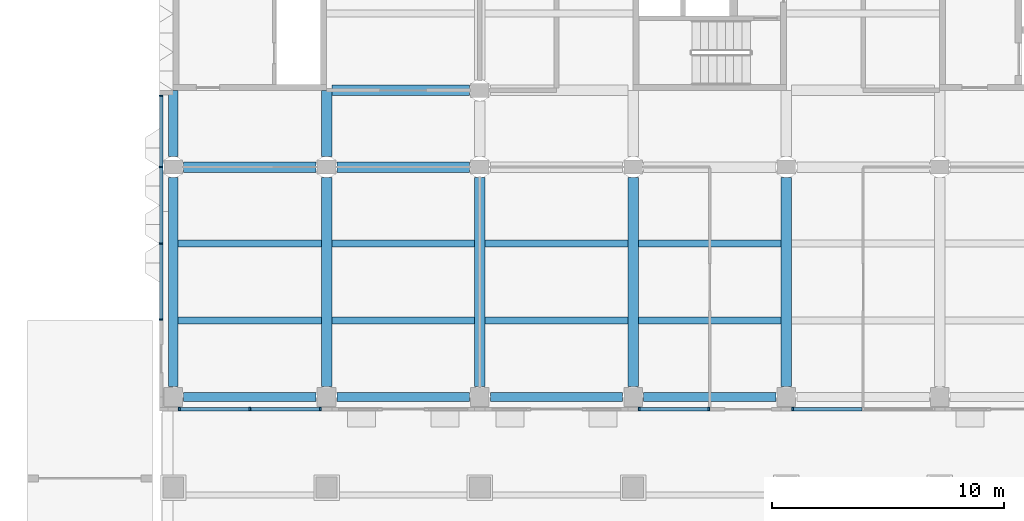
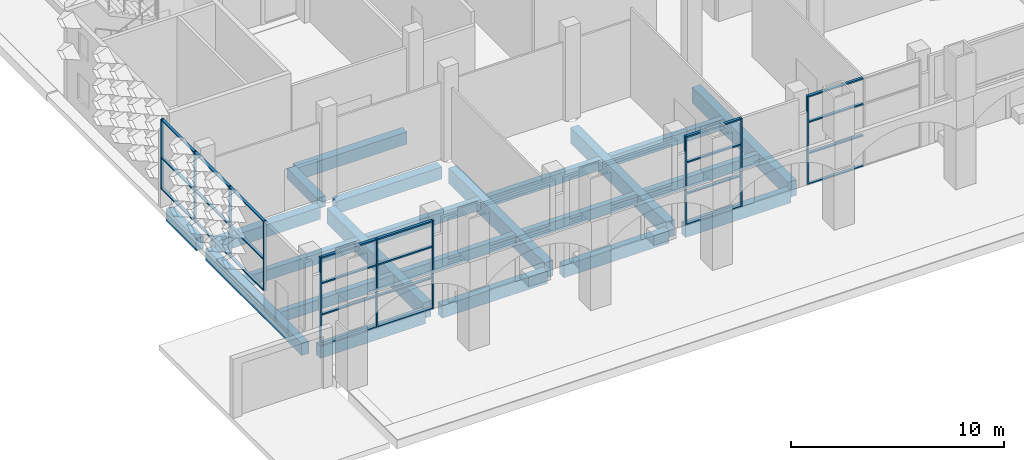
# One storey, part 2 of 85: 35 members, 22 beams, 4 elements without a shape of their own.
"""IFC4 building model written with IfcOpenShell, lengths in metres."""

from ifc_helpers import new_model, si_unit, direction, frame, origin, origin_2d, place, context, subcontext, project, spatial, rectangle, extrude, material, material_profile, profile_set, type_object, element, aggregate, save


model = new_model("IFC4")

# Units and contexts
model_context = context("Model", 3, precision=1e-05, world=origin(), true_north=direction((0.0, 1.0)))
body_context = subcontext(model_context, "Body", "Model", "MODEL_VIEW")
ifc_project = project(units=[si_unit("LENGTHUNIT", "METRE"), si_unit("AREAUNIT", "SQUARE_METRE"), si_unit("VOLUMEUNIT", "CUBIC_METRE"), si_unit("PLANEANGLEUNIT", "RADIAN"), si_unit("MASSUNIT", "GRAM", prefix="KILO")], contexts=[model_context])

# Site, building, storey
site_placement = place(None, origin())
site = spatial("IfcSite", under=ifc_project, at=site_placement, CompositionType="ELEMENT")
building_placement = place(site_placement, origin())
building = spatial("IfcBuilding", under=site, at=building_placement, Name="Lantern Court Research Institute", CompositionType="ELEMENT")
storey_placement = place(building_placement, origin())
storey = spatial("IfcBuildingStorey", under=building, at=storey_placement, Name="L00", CompositionType="ELEMENT", Elevation=0.0)

# Curtain wall, members
ifc_material_1 = material(Name="Aluminium alloy 6063-T6", Category="aluminium")
curtain_wall_type_1 = type_object("IfcCurtainWallType", Name="Curtain wall 9700 x 4000 x 150 aluminium frame", PredefinedType="NOTDEFINED", material=ifc_material_1)
curtain_wall_1_placement = place(storey_placement, origin())
curtain_wall_1 = element("IfcCurtainWall", 1, at=curtain_wall_1_placement, inside=storey, type_object=curtain_wall_type_1, Name="Curtain wall CW013", PredefinedType="NOTDEFINED")
ifc_material_2 = material(Name="Aluminium alloy 6063-T6", Category="aluminium")
ifc_material_profile_1 = material_profile(ifc_material_2, rectangle(XDim=0.14990234375, YDim=0.06005859375, at=origin_2d()), Name="Mullion 150 x 60")
ifc_profile_set_1 = profile_set([ifc_material_profile_1], Name="Aluminium alloy 6063-T6")
member_type_1 = type_object("IfcMemberType", Name="Mullion 150 x 60 aluminium", PredefinedType="MULLION", material=ifc_profile_set_1)
member_1_placement = place(storey_placement, frame((-0.52490234375, 3.330078125, 1.10009765625), z_axis=(0.0, 0.0, 1.0), x_axis=(-1.0, 0.0, 0.0)))
member_1 = element("IfcMember", 2, at=member_1_placement, type_object=member_type_1, Name="CW013 mullion 1", PredefinedType="MULLION", context=body_context, shape_type="SweptSolid", body=[
    extrude(rectangle(XDim=0.14990234375, YDim=0.06005859375, at=origin_2d()), origin(), (0.0, 0.0, 1.0), 4.0),
])
member_2_placement = place(storey_placement, frame((-0.52490234375, 6.60009765625, 1.10009765625), z_axis=(0.0, 0.0, 1.0), x_axis=(-1.0, 0.0, 0.0)))
member_2 = element("IfcMember", 3, at=member_2_placement, type_object=member_type_1, Name="CW013 mullion 2", PredefinedType="MULLION", context=body_context, shape_type="SweptSolid", body=[
    extrude(rectangle(XDim=0.14990234375, YDim=0.06005859375, at=origin_2d()), origin(), (0.0, 0.0, 1.0), 4.0),
])
member_3_placement = place(storey_placement, frame((-0.52490234375, 9.89990234375, 1.10009765625), z_axis=(0.0, 0.0, 1.0), x_axis=(-1.0, 0.0, 0.0)))
member_3 = element("IfcMember", 4, at=member_3_placement, type_object=member_type_1, Name="CW013 mullion 3", PredefinedType="MULLION", context=body_context, shape_type="SweptSolid", body=[
    extrude(rectangle(XDim=0.14990234375, YDim=0.06005859375, at=origin_2d()), origin(), (0.0, 0.0, 1.0), 4.0),
])
member_4_placement = place(storey_placement, frame((-0.52490234375, 12.969970703125, 1.10009765625), z_axis=(0.0, 0.0, 1.0), x_axis=(-1.0, 0.0, 0.0)))
member_4 = element("IfcMember", 5, at=member_4_placement, type_object=member_type_1, Name="CW013 mullion 4", PredefinedType="MULLION", context=body_context, shape_type="SweptSolid", body=[
    extrude(rectangle(XDim=0.14990234375, YDim=0.06005859375, at=origin_2d()), origin(), (0.0, 0.0, 1.0), 4.0),
])

ifc_material_3 = material(Name="Aluminium alloy 6063-T6", Category="aluminium")
curtain_wall_type_2 = type_object("IfcCurtainWallType", Name="Curtain wall 6150 x 5100 x 150 aluminium frame", PredefinedType="NOTDEFINED", material=ifc_material_3)
curtain_wall_2_placement = place(storey_placement, origin())
curtain_wall_2 = element("IfcCurtainWall", 6, at=curtain_wall_2_placement, inside=storey, type_object=curtain_wall_type_2, Name="Curtain wall CW008", PredefinedType="NOTDEFINED")
ifc_material_4 = material(Name="Aluminium alloy 6063-T6", Category="aluminium")
ifc_material_profile_2 = material_profile(ifc_material_4, rectangle(XDim=0.14990234375, YDim=0.080078125, at=origin_2d()), Name="Mullion 150 x 80")
ifc_profile_set_2 = profile_set([ifc_material_profile_2], Name="Aluminium alloy 6063-T6")
member_type_2 = type_object("IfcMemberType", Name="Mullion 150 x 80 aluminium", PredefinedType="MULLION", material=ifc_profile_set_2)
member_5_placement = place(storey_placement, frame((0.264892578125, -0.52490234375, 0.0), z_axis=(0.0, 0.0, 1.0), x_axis=(0.0, -1.0, 0.0)))
member_5 = element("IfcMember", 7, at=member_5_placement, type_object=member_type_2, Name="CW008 mullion 1", PredefinedType="MULLION", context=body_context, shape_type="SweptSolid", body=[
    extrude(rectangle(XDim=0.14990234375, YDim=0.080078125, at=origin_2d()), origin(), (0.0, 0.0, 1.0), 5.10009765625),
])
member_6_placement = place(storey_placement, frame((3.300048828125, -0.52490234375, 0.0), z_axis=(0.0, 0.0, 1.0), x_axis=(0.0, -1.0, 0.0)))
member_6 = element("IfcMember", 8, at=member_6_placement, type_object=member_type_2, Name="CW008 mullion 2", PredefinedType="MULLION", context=body_context, shape_type="SweptSolid", body=[
    extrude(rectangle(XDim=0.14990234375, YDim=0.080078125, at=origin_2d()), origin(), (0.0, 0.0, 1.0), 5.10009765625),
])
member_7_placement = place(storey_placement, frame((6.3349609375, -0.52490234375, 0.0), z_axis=(0.0, 0.0, 1.0), x_axis=(0.0, -1.0, 0.0)))
member_7 = element("IfcMember", 9, at=member_7_placement, type_object=member_type_2, Name="CW008 mullion 3", PredefinedType="MULLION", context=body_context, shape_type="SweptSolid", body=[
    extrude(rectangle(XDim=0.14990234375, YDim=0.080078125, at=origin_2d()), origin(), (0.0, 0.0, 1.0), 5.10009765625),
])

ifc_material_5 = material(Name="Aluminium alloy 6063-T6", Category="aluminium")
curtain_wall_type_3 = type_object("IfcCurtainWallType", Name="Curtain wall 3075 x 5100 x 150 aluminium frame", PredefinedType="NOTDEFINED", material=ifc_material_5)
curtain_wall_3_placement = place(storey_placement, origin())
curtain_wall_3 = element("IfcCurtainWall", 10, at=curtain_wall_3_placement, inside=storey, type_object=curtain_wall_type_3, Name="Curtain wall CW009", PredefinedType="NOTDEFINED")
member_8_placement = place(storey_placement, frame((20.06494140625, -0.52490234375, 0.0), z_axis=(0.0, 0.0, 1.0), x_axis=(0.0, -1.0, 0.0)))
member_8 = element("IfcMember", 11, at=member_8_placement, type_object=member_type_2, Name="CW009 mullion 1", PredefinedType="MULLION", context=body_context, shape_type="SweptSolid", body=[
    extrude(rectangle(XDim=0.14990234375, YDim=0.080078125, at=origin_2d()), origin(), (0.0, 0.0, 1.0), 5.10009765625),
])
member_9_placement = place(storey_placement, frame((23.06005859375, -0.52490234375, 0.0), z_axis=(0.0, 0.0, 1.0), x_axis=(0.0, -1.0, 0.0)))
member_9 = element("IfcMember", 12, at=member_9_placement, type_object=member_type_2, Name="CW009 mullion 2", PredefinedType="MULLION", context=body_context, shape_type="SweptSolid", body=[
    extrude(rectangle(XDim=0.14990234375, YDim=0.080078125, at=origin_2d()), origin(), (0.0, 0.0, 1.0), 5.10009765625),
])

# Curtain wall, member
curtain_wall_4_placement = place(storey_placement, origin())
curtain_wall_4 = element("IfcCurtainWall", 13, at=curtain_wall_4_placement, inside=storey, type_object=curtain_wall_type_2, Name="Curtain wall CW010", PredefinedType="NOTDEFINED")
member_10_placement = place(storey_placement, frame((26.6650390625, -0.52490234375, 0.0), z_axis=(0.0, 0.0, 1.0), x_axis=(0.0, -1.0, 0.0)))
member_10 = element("IfcMember", 14, at=member_10_placement, type_object=member_type_2, Name="CW010 mullion 1", PredefinedType="MULLION", context=body_context, shape_type="SweptSolid", body=[
    extrude(rectangle(XDim=0.14990234375, YDim=0.080078125, at=origin_2d()), origin(), (0.0, 0.0, 1.0), 5.10009765625),
])

# Beams
ifc_material_6 = material(Name="Concrete C40/50", Category="concrete")
ifc_material_profile_3 = material_profile(ifc_material_6, rectangle(XDim=0.449951171875, YDim=0.699951171875, at=origin_2d()), Name="RC beam 450 x 700")
ifc_profile_set_3 = profile_set([ifc_material_profile_3], Name="Concrete C40/50")
beam_type_1 = type_object("IfcBeamType", Name="RC beam 450 x 700", PredefinedType="BEAM", material=ifc_profile_set_3)
for number, where, z_axis, x_axis, name in (
    (15, (0.449951171875, 9.89990234375, -0.64990234375), (1.0, 0.0, 0.0), (0.0, 1.0, 0.0), "Beam L00 grid B/1-2"),
    (16, (7.050048828125, 9.89990234375, -0.64990234375), (1.0, 0.0, 0.0), (0.0, 1.0, 0.0), "Beam L00 grid B/2-3"),
):
    element("IfcBeam", number, at=place(storey_placement, frame(where, z_axis=z_axis, x_axis=x_axis)), inside=storey, type_object=beam_type_1, Name=name, PredefinedType="BEAM", context=body_context, shape_type="SweptSolid", body=[
        extrude(rectangle(XDim=0.449951171875, YDim=0.699951171875, at=origin_2d()), origin(), (0.0, 0.0, 1.0), 5.699951171875),
    ])
beam_1_placement = place(storey_placement, frame((6.824951171875, 13.199951171875, -0.64990234375), z_axis=(1.0, 0.0, 0.0), x_axis=(0.0, 1.0, 0.0)))
element("IfcBeam", 17, at=beam_1_placement, inside=storey, type_object=beam_type_1, Name="Beam L00 grid C/2-3", PredefinedType="BEAM", context=body_context, shape_type="SweptSolid", body=[
    extrude(rectangle(XDim=0.449951171875, YDim=0.699951171875, at=origin_2d()), origin(), (0.0, 0.0, 1.0), 5.925048828125),
])
ifc_material_7 = material(Name="Concrete C40/50", Category="concrete")
ifc_material_profile_4 = material_profile(ifc_material_7, rectangle(XDim=0.39990234375, YDim=0.699951171875, at=origin_2d()), Name="RC beam 400 x 700")
ifc_profile_set_4 = profile_set([ifc_material_profile_4], Name="Concrete C40/50")
beam_type_2 = type_object("IfcBeamType", Name="RC edge beam 400 x 700", PredefinedType="BEAM", material=ifc_profile_set_4)
beam_2_placement = place(storey_placement, frame((0.0, 0.449951171875, -0.64990234375), z_axis=(0.0, 1.0, 0.0), x_axis=(-1.0, 0.0, 0.0)))
element("IfcBeam", 18, at=beam_2_placement, inside=storey, type_object=beam_type_2, Name="Edge beam L00 grid 1/A-B", PredefinedType="BEAM", context=body_context, shape_type="SweptSolid", body=[
    extrude(rectangle(XDim=0.39990234375, YDim=0.699951171875, at=origin_2d()), origin(), (0.0, 0.0, 1.0), 9.0),
])
beam_3_placement = place(storey_placement, frame((0.0, 10.35009765625, -0.64990234375), z_axis=(0.0, 1.0, 0.0), x_axis=(-1.0, 0.0, 0.0)))
element("IfcBeam", 19, at=beam_3_placement, inside=storey, type_object=beam_type_2, Name="Edge beam L00 grid 1/B-C", PredefinedType="BEAM", context=body_context, shape_type="SweptSolid", body=[
    extrude(rectangle(XDim=0.39990234375, YDim=0.699951171875, at=origin_2d()), origin(), (0.0, 0.0, 1.0), 2.849853515625),
])
for number, where, z_axis, x_axis, name in (
    (20, (0.449951171875, 0.0, -0.64990234375), (1.0, 0.0, 0.0), (0.0, 1.0, 0.0), "Edge beam L00 grid A/1-2"),
    (21, (7.050048828125, 0.0, -0.64990234375), (1.0, 0.0, 0.0), (0.0, 1.0, 0.0), "Edge beam L00 grid A/2-3"),
):
    element("IfcBeam", number, at=place(storey_placement, frame(where, z_axis=z_axis, x_axis=x_axis)), inside=storey, type_object=beam_type_2, Name=name, PredefinedType="BEAM", context=body_context, shape_type="SweptSolid", body=[
        extrude(rectangle(XDim=0.39990234375, YDim=0.699951171875, at=origin_2d()), origin(), (0.0, 0.0, 1.0), 5.699951171875),
    ])
beam_4_placement = place(storey_placement, frame((13.64990234375, 0.0, -0.64990234375), z_axis=(1.0, 0.0, 0.0), x_axis=(0.0, 1.0, 0.0)))
element("IfcBeam", 22, at=beam_4_placement, inside=storey, type_object=beam_type_2, Name="Edge beam L00 grid A/3-4", PredefinedType="BEAM", context=body_context, shape_type="SweptSolid", body=[
    extrude(rectangle(XDim=0.39990234375, YDim=0.699951171875, at=origin_2d()), origin(), (0.0, 0.0, 1.0), 5.7001953125),
])
beam_5_placement = place(storey_placement, frame((20.25, 0.0, -0.64990234375), z_axis=(1.0, 0.0, 0.0), x_axis=(0.0, 1.0, 0.0)))
element("IfcBeam", 23, at=beam_5_placement, inside=storey, type_object=beam_type_2, Name="Edge beam L00 grid A/4-5", PredefinedType="BEAM", context=body_context, shape_type="SweptSolid", body=[
    extrude(rectangle(XDim=0.39990234375, YDim=0.699951171875, at=origin_2d()), origin(), (0.0, 0.0, 1.0), 5.699951171875),
])
ifc_material_8 = material(Name="Concrete C40/50", Category="concrete")
ifc_material_profile_5 = material_profile(ifc_material_8, rectangle(XDim=0.449951171875, YDim=0.89990234375, at=origin_2d()), Name="RC beam 450 x 900")
ifc_profile_set_5 = profile_set([ifc_material_profile_5], Name="Concrete C40/50")
beam_type_3 = type_object("IfcBeamType", Name="RC girder 450 x 900", PredefinedType="BEAM", material=ifc_profile_set_5)
for number, where, z_axis, x_axis, name in (
    (24, (6.60009765625, 0.449951171875, -0.75), (0.0, 1.0, 0.0), (-1.0, 0.0, 0.0), "Girder L00 grid 2/A-B"),
    (25, (13.199951171875, 0.449951171875, -0.75), (0.0, 1.0, 0.0), (-1.0, 0.0, 0.0), "Girder L00 grid 3/A-B"),
    (26, (19.800048828125, 0.449951171875, -0.75), (0.0, 1.0, 0.0), (-1.0, 0.0, 0.0), "Girder L00 grid 4/A-B"),
    (27, (26.39990234375, 0.449951171875, -0.75), (0.0, 1.0, 0.0), (-1.0, 0.0, 0.0), "Girder L00 grid 5/A-B"),
):
    element("IfcBeam", number, at=place(storey_placement, frame(where, z_axis=z_axis, x_axis=x_axis)), inside=storey, type_object=beam_type_3, Name=name, PredefinedType="BEAM", context=body_context, shape_type="SweptSolid", body=[
        extrude(rectangle(XDim=0.449951171875, YDim=0.89990234375, at=origin_2d()), origin(), (0.0, 0.0, 1.0), 9.0),
    ])
ifc_material_9 = material(Name="Concrete C40/50", Category="concrete")
ifc_material_profile_6 = material_profile(ifc_material_9, rectangle(XDim=0.300048828125, YDim=0.60009765625, at=origin_2d()), Name="RC beam 300 x 600")
ifc_profile_set_6 = profile_set([ifc_material_profile_6], Name="Concrete C40/50")
beam_type_4 = type_object("IfcBeamType", Name="RC secondary beam 300 x 600", PredefinedType="BEAM", material=ifc_profile_set_6)
beam_6_placement = place(storey_placement, frame((0.199951171875, 3.300048828125, -0.60009765625), z_axis=(1.0, 0.0, 0.0), x_axis=(0.0, 1.0, 0.0)))
element("IfcBeam", 28, at=beam_6_placement, inside=storey, type_object=beam_type_4, Name="Secondary beam L00 grids 1-2 / A-B, line 1", PredefinedType="BEAM", context=body_context, shape_type="SweptSolid", body=[
    extrude(rectangle(XDim=0.300048828125, YDim=0.60009765625, at=origin_2d()), origin(), (0.0, 0.0, 1.0), 6.175048828125),
])
beam_7_placement = place(storey_placement, frame((6.824951171875, 3.300048828125, -0.60009765625), z_axis=(1.0, 0.0, 0.0), x_axis=(0.0, 1.0, 0.0)))
element("IfcBeam", 29, at=beam_7_placement, inside=storey, type_object=beam_type_4, Name="Secondary beam L00 grids 2-3 / A-B, line 1", PredefinedType="BEAM", context=body_context, shape_type="SweptSolid", body=[
    extrude(rectangle(XDim=0.300048828125, YDim=0.60009765625, at=origin_2d()), origin(), (0.0, 0.0, 1.0), 6.150146484375),
])
beam_8_placement = place(storey_placement, frame((13.425048828125, 3.300048828125, -0.60009765625), z_axis=(1.0, 0.0, 0.0), x_axis=(0.0, 1.0, 0.0)))
element("IfcBeam", 30, at=beam_8_placement, inside=storey, type_object=beam_type_4, Name="Secondary beam L00 grids 3-4 / A-B, line 1", PredefinedType="BEAM", context=body_context, shape_type="SweptSolid", body=[
    extrude(rectangle(XDim=0.300048828125, YDim=0.60009765625, at=origin_2d()), origin(), (0.0, 0.0, 1.0), 6.14990234375),
])
beam_9_placement = place(storey_placement, frame((20.02490234375, 3.300048828125, -0.60009765625), z_axis=(1.0, 0.0, 0.0), x_axis=(0.0, 1.0, 0.0)))
element("IfcBeam", 31, at=beam_9_placement, inside=storey, type_object=beam_type_4, Name="Secondary beam L00 grids 4-5 / A-B, line 1", PredefinedType="BEAM", context=body_context, shape_type="SweptSolid", body=[
    extrude(rectangle(XDim=0.300048828125, YDim=0.60009765625, at=origin_2d()), origin(), (0.0, 0.0, 1.0), 6.150146484375),
])
beam_10_placement = place(storey_placement, frame((0.199951171875, 6.60009765625, -0.60009765625), z_axis=(1.0, 0.0, 0.0), x_axis=(0.0, 1.0, 0.0)))
element("IfcBeam", 32, at=beam_10_placement, inside=storey, type_object=beam_type_4, Name="Secondary beam L00 grids 1-2 / A-B, line 2", PredefinedType="BEAM", context=body_context, shape_type="SweptSolid", body=[
    extrude(rectangle(XDim=0.300048828125, YDim=0.60009765625, at=origin_2d()), origin(), (0.0, 0.0, 1.0), 6.175048828125),
])
beam_11_placement = place(storey_placement, frame((6.824951171875, 6.60009765625, -0.60009765625), z_axis=(1.0, 0.0, 0.0), x_axis=(0.0, 1.0, 0.0)))
element("IfcBeam", 33, at=beam_11_placement, inside=storey, type_object=beam_type_4, Name="Secondary beam L00 grids 2-3 / A-B, line 2", PredefinedType="BEAM", context=body_context, shape_type="SweptSolid", body=[
    extrude(rectangle(XDim=0.300048828125, YDim=0.60009765625, at=origin_2d()), origin(), (0.0, 0.0, 1.0), 6.150146484375),
])
beam_12_placement = place(storey_placement, frame((13.425048828125, 6.60009765625, -0.60009765625), z_axis=(1.0, 0.0, 0.0), x_axis=(0.0, 1.0, 0.0)))
element("IfcBeam", 34, at=beam_12_placement, inside=storey, type_object=beam_type_4, Name="Secondary beam L00 grids 3-4 / A-B, line 2", PredefinedType="BEAM", context=body_context, shape_type="SweptSolid", body=[
    extrude(rectangle(XDim=0.300048828125, YDim=0.60009765625, at=origin_2d()), origin(), (0.0, 0.0, 1.0), 6.14990234375),
])
beam_13_placement = place(storey_placement, frame((20.02490234375, 6.60009765625, -0.60009765625), z_axis=(1.0, 0.0, 0.0), x_axis=(0.0, 1.0, 0.0)))
element("IfcBeam", 35, at=beam_13_placement, inside=storey, type_object=beam_type_4, Name="Secondary beam L00 grids 4-5 / A-B, line 2", PredefinedType="BEAM", context=body_context, shape_type="SweptSolid", body=[
    extrude(rectangle(XDim=0.300048828125, YDim=0.60009765625, at=origin_2d()), origin(), (0.0, 0.0, 1.0), 6.150146484375),
])
ifc_material_10 = material(Name="Concrete C40/50", Category="concrete")
ifc_material_profile_7 = material_profile(ifc_material_10, rectangle(XDim=0.449951171875, YDim=0.60009765625, at=origin_2d()), Name="RC beam 450 x 600")
ifc_profile_set_7 = profile_set([ifc_material_profile_7], Name="Concrete C40/50")
beam_type_5 = type_object("IfcBeamType", Name="RC spine beam 450 x 600", PredefinedType="BEAM", material=ifc_profile_set_7)
beam_14_placement = place(storey_placement, frame((6.60009765625, 10.35009765625, -0.60009765625), z_axis=(0.0, 1.0, 0.0), x_axis=(-1.0, 0.0, 0.0)))
element("IfcBeam", 36, at=beam_14_placement, inside=storey, type_object=beam_type_5, Name="Beam L00 grid 2/B-C", PredefinedType="BEAM", context=body_context, shape_type="SweptSolid", body=[
    extrude(rectangle(XDim=0.449951171875, YDim=0.60009765625, at=origin_2d()), origin(), (0.0, 0.0, 1.0), 2.849853515625),
])

# Member
ifc_material_11 = material(Name="Aluminium alloy 6063-T6", Category="aluminium")
ifc_material_profile_8 = material_profile(ifc_material_11, rectangle(XDim=0.14990234375, YDim=0.06005859375, at=origin_2d()), Name="Transom 150 x 60")
ifc_profile_set_8 = profile_set([ifc_material_profile_8], Name="Aluminium alloy 6063-T6")
member_type_3 = type_object("IfcMemberType", Name="Transom 150 x 60 aluminium", PredefinedType="USERDEFINED", material=ifc_profile_set_8)
member_11_placement = place(storey_placement, frame((-0.52490234375, 3.360107421875, 1.1298828125), z_axis=(0.0, 1.0, 0.0), x_axis=(-1.0, 0.0, 0.0)))
member_11 = element("IfcMember", 37, at=member_11_placement, type_object=member_type_3, Name="CW013 transom 1.1", ObjectType="TRANSOM", PredefinedType="USERDEFINED", context=body_context, shape_type="SweptSolid", body=[
    extrude(rectangle(XDim=0.14990234375, YDim=0.06005859375, at=origin_2d()), origin(), (0.0, 0.0, 1.0), 3.2099609375),
])

member_12_placement = place(storey_placement, frame((-0.52490234375, 3.360107421875, 2.89990234375), z_axis=(0.0, 1.0, 0.0), x_axis=(-1.0, 0.0, 0.0)))
member_12 = element("IfcMember", 38, at=member_12_placement, type_object=member_type_3, Name="CW013 transom 1.2", ObjectType="TRANSOM", PredefinedType="USERDEFINED", context=body_context, shape_type="SweptSolid", body=[
    extrude(rectangle(XDim=0.14990234375, YDim=0.06005859375, at=origin_2d()), origin(), (0.0, 0.0, 1.0), 3.2099609375),
])

member_13_placement = place(storey_placement, frame((-0.52490234375, 3.360107421875, 5.070068359375), z_axis=(0.0, 1.0, 0.0), x_axis=(-1.0, 0.0, 0.0)))
member_13 = element("IfcMember", 39, at=member_13_placement, type_object=member_type_3, Name="CW013 transom 1.3", ObjectType="TRANSOM", PredefinedType="USERDEFINED", context=body_context, shape_type="SweptSolid", body=[
    extrude(rectangle(XDim=0.14990234375, YDim=0.06005859375, at=origin_2d()), origin(), (0.0, 0.0, 1.0), 3.2099609375),
])

member_14_placement = place(storey_placement, frame((-0.52490234375, 6.6298828125, 1.1298828125), z_axis=(0.0, 1.0, 0.0), x_axis=(-1.0, 0.0, 0.0)))
member_14 = element("IfcMember", 40, at=member_14_placement, type_object=member_type_3, Name="CW013 transom 2.1", ObjectType="TRANSOM", PredefinedType="USERDEFINED", context=body_context, shape_type="SweptSolid", body=[
    extrude(rectangle(XDim=0.14990234375, YDim=0.06005859375, at=origin_2d()), origin(), (0.0, 0.0, 1.0), 3.240234375),
])

member_15_placement = place(storey_placement, frame((-0.52490234375, 6.6298828125, 2.89990234375), z_axis=(0.0, 1.0, 0.0), x_axis=(-1.0, 0.0, 0.0)))
member_15 = element("IfcMember", 41, at=member_15_placement, type_object=member_type_3, Name="CW013 transom 2.2", ObjectType="TRANSOM", PredefinedType="USERDEFINED", context=body_context, shape_type="SweptSolid", body=[
    extrude(rectangle(XDim=0.14990234375, YDim=0.06005859375, at=origin_2d()), origin(), (0.0, 0.0, 1.0), 3.240234375),
])

member_16_placement = place(storey_placement, frame((-0.52490234375, 6.6298828125, 5.070068359375), z_axis=(0.0, 1.0, 0.0), x_axis=(-1.0, 0.0, 0.0)))
member_16 = element("IfcMember", 42, at=member_16_placement, type_object=member_type_3, Name="CW013 transom 2.3", ObjectType="TRANSOM", PredefinedType="USERDEFINED", context=body_context, shape_type="SweptSolid", body=[
    extrude(rectangle(XDim=0.14990234375, YDim=0.06005859375, at=origin_2d()), origin(), (0.0, 0.0, 1.0), 3.240234375),
])

member_17_placement = place(storey_placement, frame((-0.52490234375, 9.929931640625, 1.1298828125), z_axis=(0.0, 1.0, 0.0), x_axis=(-1.0, 0.0, 0.0)))
member_17 = element("IfcMember", 43, at=member_17_placement, type_object=member_type_3, Name="CW013 transom 3.1", ObjectType="TRANSOM", PredefinedType="USERDEFINED", context=body_context, shape_type="SweptSolid", body=[
    extrude(rectangle(XDim=0.14990234375, YDim=0.06005859375, at=origin_2d()), origin(), (0.0, 0.0, 1.0), 3.010009765625),
])

member_18_placement = place(storey_placement, frame((-0.52490234375, 9.929931640625, 2.89990234375), z_axis=(0.0, 1.0, 0.0), x_axis=(-1.0, 0.0, 0.0)))
member_18 = element("IfcMember", 44, at=member_18_placement, type_object=member_type_3, Name="CW013 transom 3.2", ObjectType="TRANSOM", PredefinedType="USERDEFINED", context=body_context, shape_type="SweptSolid", body=[
    extrude(rectangle(XDim=0.14990234375, YDim=0.06005859375, at=origin_2d()), origin(), (0.0, 0.0, 1.0), 3.010009765625),
])

member_19_placement = place(storey_placement, frame((-0.52490234375, 9.929931640625, 5.070068359375), z_axis=(0.0, 1.0, 0.0), x_axis=(-1.0, 0.0, 0.0)))
member_19 = element("IfcMember", 45, at=member_19_placement, type_object=member_type_3, Name="CW013 transom 3.3", ObjectType="TRANSOM", PredefinedType="USERDEFINED", context=body_context, shape_type="SweptSolid", body=[
    extrude(rectangle(XDim=0.14990234375, YDim=0.06005859375, at=origin_2d()), origin(), (0.0, 0.0, 1.0), 3.010009765625),
])

aggregate(curtain_wall_1, [member_1, member_2, member_3, member_4, member_11, member_12, member_13, member_14, member_15, member_16, member_17, member_18, member_19])

ifc_material_12 = material(Name="Aluminium alloy 6063-T6", Category="aluminium")
ifc_material_profile_9 = material_profile(ifc_material_12, rectangle(XDim=0.14990234375, YDim=0.080078125, at=origin_2d()), Name="Transom 150 x 80")
ifc_profile_set_9 = profile_set([ifc_material_profile_9], Name="Aluminium alloy 6063-T6")
member_type_4 = type_object("IfcMemberType", Name="Transom 150 x 80 aluminium", PredefinedType="USERDEFINED", material=ifc_profile_set_9)
member_20_placement = place(storey_placement, frame((3.260009765625, -0.52490234375, 0.0400390625), z_axis=(-1.0, 0.0, 0.0), x_axis=(0.0, -1.0, 0.0)))
member_20 = element("IfcMember", 46, at=member_20_placement, type_object=member_type_4, Name="CW008 transom 1.1", ObjectType="TRANSOM", PredefinedType="USERDEFINED", context=body_context, shape_type="SweptSolid", body=[
    extrude(rectangle(XDim=0.14990234375, YDim=0.080078125, at=origin_2d()), origin(), (0.0, 0.0, 1.0), 2.955078125),
])

member_21_placement = place(storey_placement, frame((3.260009765625, -0.52490234375, 1.800048828125), z_axis=(-1.0, 0.0, 0.0), x_axis=(0.0, -1.0, 0.0)))
member_21 = element("IfcMember", 47, at=member_21_placement, type_object=member_type_4, Name="CW008 transom 1.2", ObjectType="TRANSOM", PredefinedType="USERDEFINED", context=body_context, shape_type="SweptSolid", body=[
    extrude(rectangle(XDim=0.14990234375, YDim=0.080078125, at=origin_2d()), origin(), (0.0, 0.0, 1.0), 2.955078125),
])

member_22_placement = place(storey_placement, frame((3.260009765625, -0.52490234375, 3.60009765625), z_axis=(-1.0, 0.0, 0.0), x_axis=(0.0, -1.0, 0.0)))
member_22 = element("IfcMember", 48, at=member_22_placement, type_object=member_type_4, Name="CW008 transom 1.3", ObjectType="TRANSOM", PredefinedType="USERDEFINED", context=body_context, shape_type="SweptSolid", body=[
    extrude(rectangle(XDim=0.14990234375, YDim=0.080078125, at=origin_2d()), origin(), (0.0, 0.0, 1.0), 2.955078125),
])

member_23_placement = place(storey_placement, frame((3.260009765625, -0.52490234375, 5.06005859375), z_axis=(-1.0, 0.0, 0.0), x_axis=(0.0, -1.0, 0.0)))
member_23 = element("IfcMember", 49, at=member_23_placement, type_object=member_type_4, Name="CW008 transom 1.4", ObjectType="TRANSOM", PredefinedType="USERDEFINED", context=body_context, shape_type="SweptSolid", body=[
    extrude(rectangle(XDim=0.14990234375, YDim=0.080078125, at=origin_2d()), origin(), (0.0, 0.0, 1.0), 2.955078125),
])

member_24_placement = place(storey_placement, frame((6.294921875, -0.52490234375, 0.0400390625), z_axis=(-1.0, 0.0, 0.0), x_axis=(0.0, -1.0, 0.0)))
member_24 = element("IfcMember", 50, at=member_24_placement, type_object=member_type_4, Name="CW008 transom 2.1", ObjectType="TRANSOM", PredefinedType="USERDEFINED", context=body_context, shape_type="SweptSolid", body=[
    extrude(rectangle(XDim=0.14990234375, YDim=0.080078125, at=origin_2d()), origin(), (0.0, 0.0, 1.0), 2.954833984375),
])

member_25_placement = place(storey_placement, frame((6.294921875, -0.52490234375, 1.800048828125), z_axis=(-1.0, 0.0, 0.0), x_axis=(0.0, -1.0, 0.0)))
member_25 = element("IfcMember", 51, at=member_25_placement, type_object=member_type_4, Name="CW008 transom 2.2", ObjectType="TRANSOM", PredefinedType="USERDEFINED", context=body_context, shape_type="SweptSolid", body=[
    extrude(rectangle(XDim=0.14990234375, YDim=0.080078125, at=origin_2d()), origin(), (0.0, 0.0, 1.0), 2.954833984375),
])

member_26_placement = place(storey_placement, frame((6.294921875, -0.52490234375, 3.60009765625), z_axis=(-1.0, 0.0, 0.0), x_axis=(0.0, -1.0, 0.0)))
member_26 = element("IfcMember", 52, at=member_26_placement, type_object=member_type_4, Name="CW008 transom 2.3", ObjectType="TRANSOM", PredefinedType="USERDEFINED", context=body_context, shape_type="SweptSolid", body=[
    extrude(rectangle(XDim=0.14990234375, YDim=0.080078125, at=origin_2d()), origin(), (0.0, 0.0, 1.0), 2.954833984375),
])

member_27_placement = place(storey_placement, frame((6.294921875, -0.52490234375, 5.06005859375), z_axis=(-1.0, 0.0, 0.0), x_axis=(0.0, -1.0, 0.0)))
member_27 = element("IfcMember", 53, at=member_27_placement, type_object=member_type_4, Name="CW008 transom 2.4", ObjectType="TRANSOM", PredefinedType="USERDEFINED", context=body_context, shape_type="SweptSolid", body=[
    extrude(rectangle(XDim=0.14990234375, YDim=0.080078125, at=origin_2d()), origin(), (0.0, 0.0, 1.0), 2.954833984375),
])

aggregate(curtain_wall_2, [member_5, member_6, member_7, member_20, member_21, member_22, member_23, member_24, member_25, member_26, member_27])

member_28_placement = place(storey_placement, frame((23.02001953125, -0.52490234375, 0.0400390625), z_axis=(-1.0, 0.0, 0.0), x_axis=(0.0, -1.0, 0.0)))
member_28 = element("IfcMember", 54, at=member_28_placement, type_object=member_type_4, Name="CW009 transom 1.1", ObjectType="TRANSOM", PredefinedType="USERDEFINED", context=body_context, shape_type="SweptSolid", body=[
    extrude(rectangle(XDim=0.14990234375, YDim=0.080078125, at=origin_2d()), origin(), (0.0, 0.0, 1.0), 2.9150390625),
])

member_29_placement = place(storey_placement, frame((23.02001953125, -0.52490234375, 1.800048828125), z_axis=(-1.0, 0.0, 0.0), x_axis=(0.0, -1.0, 0.0)))
member_29 = element("IfcMember", 55, at=member_29_placement, type_object=member_type_4, Name="CW009 transom 1.2", ObjectType="TRANSOM", PredefinedType="USERDEFINED", context=body_context, shape_type="SweptSolid", body=[
    extrude(rectangle(XDim=0.14990234375, YDim=0.080078125, at=origin_2d()), origin(), (0.0, 0.0, 1.0), 2.9150390625),
])

member_30_placement = place(storey_placement, frame((23.02001953125, -0.52490234375, 3.60009765625), z_axis=(-1.0, 0.0, 0.0), x_axis=(0.0, -1.0, 0.0)))
member_30 = element("IfcMember", 56, at=member_30_placement, type_object=member_type_4, Name="CW009 transom 1.3", ObjectType="TRANSOM", PredefinedType="USERDEFINED", context=body_context, shape_type="SweptSolid", body=[
    extrude(rectangle(XDim=0.14990234375, YDim=0.080078125, at=origin_2d()), origin(), (0.0, 0.0, 1.0), 2.9150390625),
])

member_31_placement = place(storey_placement, frame((23.02001953125, -0.52490234375, 5.06005859375), z_axis=(-1.0, 0.0, 0.0), x_axis=(0.0, -1.0, 0.0)))
member_31 = element("IfcMember", 57, at=member_31_placement, type_object=member_type_4, Name="CW009 transom 1.4", ObjectType="TRANSOM", PredefinedType="USERDEFINED", context=body_context, shape_type="SweptSolid", body=[
    extrude(rectangle(XDim=0.14990234375, YDim=0.080078125, at=origin_2d()), origin(), (0.0, 0.0, 1.0), 2.9150390625),
])

aggregate(curtain_wall_3, [member_8, member_9, member_28, member_29, member_30, member_31])

member_32_placement = place(storey_placement, frame((29.659912109375, -0.52490234375, 0.0400390625), z_axis=(-1.0, 0.0, 0.0), x_axis=(0.0, -1.0, 0.0)))
member_32 = element("IfcMember", 58, at=member_32_placement, type_object=member_type_4, Name="CW010 transom 1.1", ObjectType="TRANSOM", PredefinedType="USERDEFINED", context=body_context, shape_type="SweptSolid", body=[
    extrude(rectangle(XDim=0.14990234375, YDim=0.080078125, at=origin_2d()), origin(), (0.0, 0.0, 1.0), 2.954833984375),
])

member_33_placement = place(storey_placement, frame((29.659912109375, -0.52490234375, 1.800048828125), z_axis=(-1.0, 0.0, 0.0), x_axis=(0.0, -1.0, 0.0)))
member_33 = element("IfcMember", 59, at=member_33_placement, type_object=member_type_4, Name="CW010 transom 1.2", ObjectType="TRANSOM", PredefinedType="USERDEFINED", context=body_context, shape_type="SweptSolid", body=[
    extrude(rectangle(XDim=0.14990234375, YDim=0.080078125, at=origin_2d()), origin(), (0.0, 0.0, 1.0), 2.954833984375),
])

member_34_placement = place(storey_placement, frame((29.659912109375, -0.52490234375, 3.60009765625), z_axis=(-1.0, 0.0, 0.0), x_axis=(0.0, -1.0, 0.0)))
member_34 = element("IfcMember", 60, at=member_34_placement, type_object=member_type_4, Name="CW010 transom 1.3", ObjectType="TRANSOM", PredefinedType="USERDEFINED", context=body_context, shape_type="SweptSolid", body=[
    extrude(rectangle(XDim=0.14990234375, YDim=0.080078125, at=origin_2d()), origin(), (0.0, 0.0, 1.0), 2.954833984375),
])

member_35_placement = place(storey_placement, frame((29.659912109375, -0.52490234375, 5.06005859375), z_axis=(-1.0, 0.0, 0.0), x_axis=(0.0, -1.0, 0.0)))
member_35 = element("IfcMember", 61, at=member_35_placement, type_object=member_type_4, Name="CW010 transom 1.4", ObjectType="TRANSOM", PredefinedType="USERDEFINED", context=body_context, shape_type="SweptSolid", body=[
    extrude(rectangle(XDim=0.14990234375, YDim=0.080078125, at=origin_2d()), origin(), (0.0, 0.0, 1.0), 2.954833984375),
])

aggregate(curtain_wall_4, [member_10, member_32, member_33, member_34, member_35])

save(model, "model.ifc")
